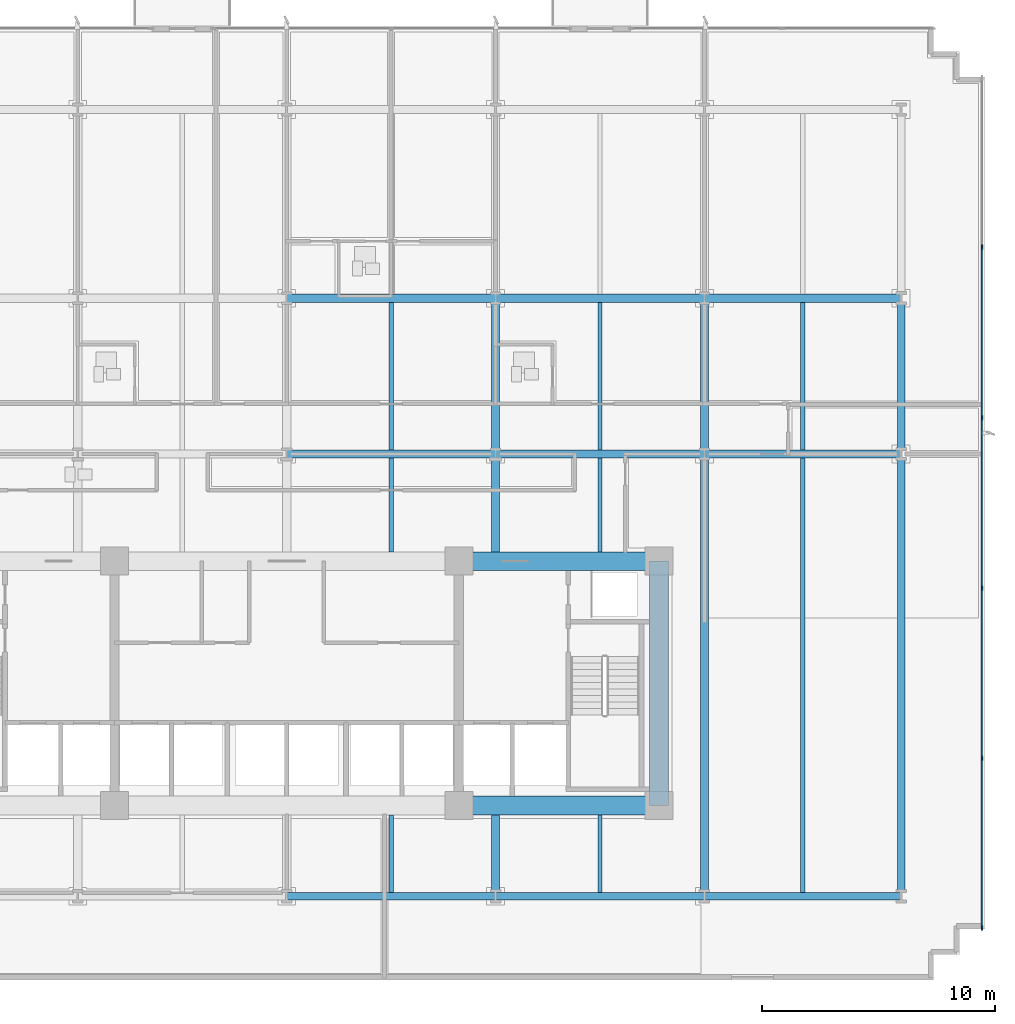
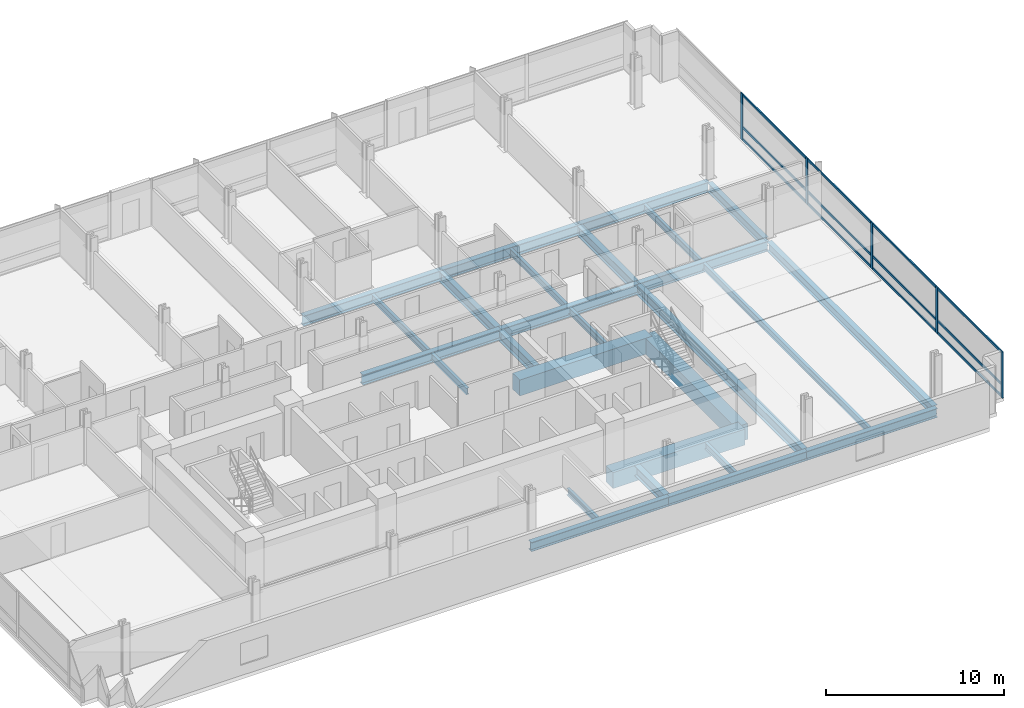
# One storey, part 4 of 16: 27 beams, 17 members, 1 element without a shape of its own.
"""IFC4 building model written with IfcOpenShell, lengths in metres."""

from ifc_helpers import new_model, si_unit, direction, frame, origin, origin_2d, place, context, subcontext, project, spatial, rectangle, i_section, extrude, material, material_profile, profile_set, type_object, element, aggregate, save


model = new_model("IFC4")

# Units and contexts
model_context = context("Model", 3, precision=1e-05, world=origin(), true_north=direction((0.0, 1.0)))
body_context = subcontext(model_context, "Body", "Model", "MODEL_VIEW")
ifc_project = project(units=[si_unit("LENGTHUNIT", "METRE"), si_unit("AREAUNIT", "SQUARE_METRE"), si_unit("VOLUMEUNIT", "CUBIC_METRE"), si_unit("PLANEANGLEUNIT", "RADIAN"), si_unit("MASSUNIT", "GRAM", prefix="KILO")], contexts=[model_context])

# Site, building, storey
site_placement = place(None, origin())
site = spatial("IfcSite", under=ifc_project, at=site_placement, CompositionType="ELEMENT")
building_placement = place(site_placement, origin())
building = spatial("IfcBuilding", under=site, at=building_placement, Name="Solmavex Isthmus Hotel", CompositionType="ELEMENT")
storey_placement = place(building_placement, frame((0.0, 0.0, 36.75)))
storey = spatial("IfcBuildingStorey", under=building, at=storey_placement, Name="L09", CompositionType="ELEMENT", Elevation=36.75)

# Beams
ifc_material_1 = material(Name="Steel ASTM A992 Grade 50", Category="steel")
ifc_material_profile_1 = material_profile(ifc_material_1, i_section(OverallWidth=0.354736328125, OverallDepth=0.695556640625, WebThickness=0.015380859375, FlangeThickness=0.02490234375, FilletRadius=0.017822265625, at=origin_2d()), Name="W27X146")
ifc_profile_set_1 = profile_set([ifc_material_profile_1], Name="Steel ASTM A992 Grade 50")
beam_type_1 = type_object("IfcBeamType", Name="BM-BG-W27X146", PredefinedType="BEAM", material=ifc_profile_set_1)
beam_1_placement = place(storey_placement, frame((0.0, 2.10009765625, -0.607666015625), z_axis=(1.0, 0.0, 0.0), x_axis=(0.0, 1.0, 0.0)))
element("IfcBeam", 1, at=beam_1_placement, inside=storey, type_object=beam_type_1, Name="Floor Girder L09-UG10", PredefinedType="BEAM", context=body_context, shape_type="SweptSolid", body=[
    extrude(i_section(OverallWidth=0.354736328125, OverallDepth=0.695556640625, WebThickness=0.015380859375, FlangeThickness=0.02490234375, FilletRadius=0.017822265625, at=origin_2d()), origin(), (0.0, 0.0, 1.0), 8.97607421875),
])
beam_2_placement = place(storey_placement, frame((8.97607421875, 2.10009765625, -0.607666015625), z_axis=(1.0, 0.0, 0.0), x_axis=(0.0, 1.0, 0.0)))
element("IfcBeam", 2, at=beam_2_placement, inside=storey, type_object=beam_type_1, Name="Floor Girder L09-UG11", PredefinedType="BEAM", context=body_context, shape_type="SweptSolid", body=[
    extrude(i_section(OverallWidth=0.354736328125, OverallDepth=0.695556640625, WebThickness=0.015380859375, FlangeThickness=0.02490234375, FilletRadius=0.017822265625, at=origin_2d()), origin(), (0.0, 0.0, 1.0), 8.975830078125),
])
beam_3_placement = place(storey_placement, frame((17.951904296875, 2.10009765625, -0.607666015625), z_axis=(1.0, 0.0, 0.0), x_axis=(0.0, 1.0, 0.0)))
element("IfcBeam", 3, at=beam_3_placement, inside=storey, type_object=beam_type_1, Name="Floor Girder L09-UG12", PredefinedType="BEAM", context=body_context, shape_type="SweptSolid", body=[
    extrude(i_section(OverallWidth=0.354736328125, OverallDepth=0.695556640625, WebThickness=0.015380859375, FlangeThickness=0.02490234375, FilletRadius=0.017822265625, at=origin_2d()), origin(), (0.0, 0.0, 1.0), 8.447998046875),
])
beam_4_placement = place(storey_placement, frame((0.0, 8.7880859375, -0.607666015625), z_axis=(1.0, 0.0, 0.0), x_axis=(0.0, 1.0, 0.0)))
element("IfcBeam", 4, at=beam_4_placement, inside=storey, type_object=beam_type_1, Name="Floor Girder L09-UG16", PredefinedType="BEAM", context=body_context, shape_type="SweptSolid", body=[
    extrude(i_section(OverallWidth=0.354736328125, OverallDepth=0.695556640625, WebThickness=0.015380859375, FlangeThickness=0.02490234375, FilletRadius=0.017822265625, at=origin_2d()), origin(), (0.0, 0.0, 1.0), 8.97607421875),
])
beam_5_placement = place(storey_placement, frame((8.97607421875, 8.7880859375, -0.607666015625), z_axis=(1.0, 0.0, 0.0), x_axis=(0.0, 1.0, 0.0)))
element("IfcBeam", 5, at=beam_5_placement, inside=storey, type_object=beam_type_1, Name="Floor Girder L09-UG17", PredefinedType="BEAM", context=body_context, shape_type="SweptSolid", body=[
    extrude(i_section(OverallWidth=0.354736328125, OverallDepth=0.695556640625, WebThickness=0.015380859375, FlangeThickness=0.02490234375, FilletRadius=0.017822265625, at=origin_2d()), origin(), (0.0, 0.0, 1.0), 8.975830078125),
])
beam_6_placement = place(storey_placement, frame((17.951904296875, 8.7880859375, -0.607666015625), z_axis=(1.0, 0.0, 0.0), x_axis=(0.0, 1.0, 0.0)))
element("IfcBeam", 6, at=beam_6_placement, inside=storey, type_object=beam_type_1, Name="Floor Girder L09-UG18", PredefinedType="BEAM", context=body_context, shape_type="SweptSolid", body=[
    extrude(i_section(OverallWidth=0.354736328125, OverallDepth=0.695556640625, WebThickness=0.015380859375, FlangeThickness=0.02490234375, FilletRadius=0.017822265625, at=origin_2d()), origin(), (0.0, 0.0, 1.0), 8.447998046875),
])
beam_7_placement = place(storey_placement, frame((8.97607421875, -16.73681640625, -0.607666015625), z_axis=(0.0, 1.0, 0.0), x_axis=(-1.0, 0.0, 0.0)))
element("IfcBeam", 7, at=beam_7_placement, inside=storey, type_object=beam_type_1, Name="Floor Beam L09-VG39", PredefinedType="BEAM", context=body_context, shape_type="SweptSolid", body=[
    extrude(i_section(OverallWidth=0.354736328125, OverallDepth=0.695556640625, WebThickness=0.015380859375, FlangeThickness=0.02490234375, FilletRadius=0.017822265625, at=origin_2d()), origin(), (0.0, 0.0, 1.0), 3.3369140625),
])
beam_8_placement = place(storey_placement, frame((8.97607421875, -2.10009765625, -0.607666015625), z_axis=(0.0, 1.0, 0.0), x_axis=(-1.0, 0.0, 0.0)))
element("IfcBeam", 8, at=beam_8_placement, inside=storey, type_object=beam_type_1, Name="Floor Beam L09-VG40", PredefinedType="BEAM", context=body_context, shape_type="SweptSolid", body=[
    extrude(i_section(OverallWidth=0.354736328125, OverallDepth=0.695556640625, WebThickness=0.015380859375, FlangeThickness=0.02490234375, FilletRadius=0.017822265625, at=origin_2d()), origin(), (0.0, 0.0, 1.0), 4.022705078125),
])
beam_9_placement = place(storey_placement, frame((8.97607421875, 2.27734375, -0.607666015625), z_axis=(0.0, 1.0, 0.0), x_axis=(-1.0, 0.0, 0.0)))
element("IfcBeam", 9, at=beam_9_placement, inside=storey, type_object=beam_type_1, Name="Floor Beam L09-VG41", PredefinedType="BEAM", context=body_context, shape_type="SweptSolid", body=[
    extrude(i_section(OverallWidth=0.354736328125, OverallDepth=0.695556640625, WebThickness=0.015380859375, FlangeThickness=0.02490234375, FilletRadius=0.017822265625, at=origin_2d()), origin(), (0.0, 0.0, 1.0), 6.333251953125),
])
beam_10_placement = place(storey_placement, frame((17.951904296875, -16.73681640625, -0.607666015625), z_axis=(0.0, 1.0, 0.0), x_axis=(-1.0, 0.0, 0.0)))
element("IfcBeam", 10, at=beam_10_placement, inside=storey, type_object=beam_type_1, Name="Floor Beam L09-VG43", PredefinedType="BEAM", context=body_context, shape_type="SweptSolid", body=[
    extrude(i_section(OverallWidth=0.354736328125, OverallDepth=0.695556640625, WebThickness=0.015380859375, FlangeThickness=0.02490234375, FilletRadius=0.017822265625, at=origin_2d()), origin(), (0.0, 0.0, 1.0), 18.659423828125),
])
beam_11_placement = place(storey_placement, frame((17.951904296875, 2.27734375, -0.607666015625), z_axis=(0.0, 1.0, 0.0), x_axis=(-1.0, 0.0, 0.0)))
element("IfcBeam", 11, at=beam_11_placement, inside=storey, type_object=beam_type_1, Name="Floor Beam L09-VG44", PredefinedType="BEAM", context=body_context, shape_type="SweptSolid", body=[
    extrude(i_section(OverallWidth=0.354736328125, OverallDepth=0.695556640625, WebThickness=0.015380859375, FlangeThickness=0.02490234375, FilletRadius=0.017822265625, at=origin_2d()), origin(), (0.0, 0.0, 1.0), 6.333251953125),
])
ifc_material_profile_2 = material_profile(ifc_material_1, i_section(OverallWidth=0.1904296875, OverallDepth=0.456787109375, WebThickness=0.009033203125, FlangeThickness=0.014404296875, FilletRadius=0.0126953125, at=origin_2d()), Name="W18X50")
ifc_profile_set_2 = profile_set([ifc_material_profile_2], Name="Steel ASTM A992 Grade 50")
beam_type_2 = type_object("IfcBeamType", Name="BM-BJ-W18X50", PredefinedType="JOIST", material=ifc_profile_set_2)
beam_12_placement = place(storey_placement, frame((4.488037109375, -16.73681640625, -0.488525390625), z_axis=(0.0, 1.0, 0.0), x_axis=(-1.0, 0.0, 0.0)))
element("IfcBeam", 12, at=beam_12_placement, inside=storey, type_object=beam_type_2, Name="Secondary Floor Joist L09-J12", PredefinedType="JOIST", context=body_context, shape_type="SweptSolid", body=[
    extrude(i_section(OverallWidth=0.1904296875, OverallDepth=0.456787109375, WebThickness=0.009033203125, FlangeThickness=0.014404296875, FilletRadius=0.0126953125, at=origin_2d()), origin(), (0.0, 0.0, 1.0), 3.3369140625),
])
beam_13_placement = place(storey_placement, frame((4.488037109375, -2.10009765625, -0.488525390625), z_axis=(0.0, 1.0, 0.0), x_axis=(-1.0, 0.0, 0.0)))
element("IfcBeam", 13, at=beam_13_placement, inside=storey, type_object=beam_type_2, Name="Secondary Floor Joist L09-J13", PredefinedType="JOIST", context=body_context, shape_type="SweptSolid", body=[
    extrude(i_section(OverallWidth=0.1904296875, OverallDepth=0.456787109375, WebThickness=0.009033203125, FlangeThickness=0.014404296875, FilletRadius=0.0126953125, at=origin_2d()), origin(), (0.0, 0.0, 1.0), 4.022705078125),
])
beam_14_placement = place(storey_placement, frame((4.488037109375, 2.27734375, -0.488525390625), z_axis=(0.0, 1.0, 0.0), x_axis=(-1.0, 0.0, 0.0)))
element("IfcBeam", 14, at=beam_14_placement, inside=storey, type_object=beam_type_2, Name="Secondary Floor Joist L09-J14", PredefinedType="JOIST", context=body_context, shape_type="SweptSolid", body=[
    extrude(i_section(OverallWidth=0.1904296875, OverallDepth=0.456787109375, WebThickness=0.009033203125, FlangeThickness=0.014404296875, FilletRadius=0.0126953125, at=origin_2d()), origin(), (0.0, 0.0, 1.0), 6.333251953125),
])
beam_15_placement = place(storey_placement, frame((13.464111328125, -16.73681640625, -0.488525390625), z_axis=(0.0, 1.0, 0.0), x_axis=(-1.0, 0.0, 0.0)))
element("IfcBeam", 15, at=beam_15_placement, inside=storey, type_object=beam_type_2, Name="Secondary Floor Joist L09-J16", PredefinedType="JOIST", context=body_context, shape_type="SweptSolid", body=[
    extrude(i_section(OverallWidth=0.1904296875, OverallDepth=0.456787109375, WebThickness=0.009033203125, FlangeThickness=0.014404296875, FilletRadius=0.0126953125, at=origin_2d()), origin(), (0.0, 0.0, 1.0), 3.3369140625),
])
beam_16_placement = place(storey_placement, frame((13.464111328125, -2.10009765625, -0.488525390625), z_axis=(0.0, 1.0, 0.0), x_axis=(-1.0, 0.0, 0.0)))
element("IfcBeam", 16, at=beam_16_placement, inside=storey, type_object=beam_type_2, Name="Secondary Floor Joist L09-J17", PredefinedType="JOIST", context=body_context, shape_type="SweptSolid", body=[
    extrude(i_section(OverallWidth=0.1904296875, OverallDepth=0.456787109375, WebThickness=0.009033203125, FlangeThickness=0.014404296875, FilletRadius=0.0126953125, at=origin_2d()), origin(), (0.0, 0.0, 1.0), 4.022705078125),
])
beam_17_placement = place(storey_placement, frame((13.464111328125, 2.27734375, -0.488525390625), z_axis=(0.0, 1.0, 0.0), x_axis=(-1.0, 0.0, 0.0)))
element("IfcBeam", 17, at=beam_17_placement, inside=storey, type_object=beam_type_2, Name="Secondary Floor Joist L09-J18", PredefinedType="JOIST", context=body_context, shape_type="SweptSolid", body=[
    extrude(i_section(OverallWidth=0.1904296875, OverallDepth=0.456787109375, WebThickness=0.009033203125, FlangeThickness=0.014404296875, FilletRadius=0.0126953125, at=origin_2d()), origin(), (0.0, 0.0, 1.0), 6.333251953125),
])
beam_18_placement = place(storey_placement, frame((22.176025390625, -16.73681640625, -0.488525390625), z_axis=(0.0, 1.0, 0.0), x_axis=(-1.0, 0.0, 0.0)))
element("IfcBeam", 18, at=beam_18_placement, inside=storey, type_object=beam_type_2, Name="Secondary Floor Joist L09-J20", PredefinedType="JOIST", context=body_context, shape_type="SweptSolid", body=[
    extrude(i_section(OverallWidth=0.1904296875, OverallDepth=0.456787109375, WebThickness=0.009033203125, FlangeThickness=0.014404296875, FilletRadius=0.0126953125, at=origin_2d()), origin(), (0.0, 0.0, 1.0), 18.659423828125),
])
beam_19_placement = place(storey_placement, frame((22.176025390625, 2.27734375, -0.488525390625), z_axis=(0.0, 1.0, 0.0), x_axis=(-1.0, 0.0, 0.0)))
element("IfcBeam", 19, at=beam_19_placement, inside=storey, type_object=beam_type_2, Name="Secondary Floor Joist L09-J21", PredefinedType="JOIST", context=body_context, shape_type="SweptSolid", body=[
    extrude(i_section(OverallWidth=0.1904296875, OverallDepth=0.456787109375, WebThickness=0.009033203125, FlangeThickness=0.014404296875, FilletRadius=0.0126953125, at=origin_2d()), origin(), (0.0, 0.0, 1.0), 6.333251953125),
])
ifc_material_2 = material(Name="Concrete C70/85", Category="concrete")
ifc_material_profile_3 = material_profile(ifc_material_2, rectangle(XDim=0.800048828125, YDim=1.10009765625, at=origin_2d()), Name="RC800X1100")
ifc_profile_set_3 = profile_set([ifc_material_profile_3], Name="Concrete C70/85")
beam_type_3 = type_object("IfcBeamType", Name="BM-CB-800X1100", PredefinedType="BEAM", material=ifc_profile_set_3)
for number, where, z_axis, x_axis, name in (
    (20, (7.39990234375, -13.0, -0.81005859375), (1.0, 0.0, 0.0), (0.0, 1.0, 0.0), "Core Coupling Beam L09-CB3"),
    (21, (7.39990234375, -2.5, -0.81005859375), (1.0, 0.0, 0.0), (0.0, 1.0, 0.0), "Core Coupling Beam L09-CB6"),
):
    element("IfcBeam", number, at=place(storey_placement, frame(where, z_axis=z_axis, x_axis=x_axis)), inside=storey, type_object=beam_type_3, Name=name, PredefinedType="BEAM", context=body_context, shape_type="SweptSolid", body=[
        extrude(rectangle(XDim=0.800048828125, YDim=1.10009765625, at=origin_2d()), origin(), (0.0, 0.0, 1.0), 8.60009765625),
    ])
beam_20_placement = place(storey_placement, frame((16.0, -13.0, -0.81005859375), z_axis=(0.0, 1.0, 0.0), x_axis=(-1.0, 0.0, 0.0)))
element("IfcBeam", 22, at=beam_20_placement, inside=storey, type_object=beam_type_3, Name="Core Coupling Beam L09-CB8", PredefinedType="BEAM", context=body_context, shape_type="SweptSolid", body=[
    extrude(rectangle(XDim=0.800048828125, YDim=1.10009765625, at=origin_2d()), origin(), (0.0, 0.0, 1.0), 10.5),
])
ifc_material_profile_4 = material_profile(ifc_material_1, i_section(OverallWidth=0.326416015625, OverallDepth=0.621826171875, WebThickness=0.015380859375, FlangeThickness=0.0244140625, FilletRadius=0.01513671875, at=origin_2d()), Name="W24X131")
ifc_profile_set_4 = profile_set([ifc_material_profile_4], Name="Steel ASTM A992 Grade 50")
beam_type_4 = type_object("IfcBeamType", Name="BM-SP-W24X131", PredefinedType="SPANDREL", material=ifc_profile_set_4)
beam_21_placement = place(storey_placement, frame((0.0, -16.89990234375, -0.57080078125), z_axis=(1.0, 0.0, 0.0), x_axis=(0.0, 1.0, 0.0)))
element("IfcBeam", 23, at=beam_21_placement, inside=storey, type_object=beam_type_4, Name="Floor Girder L09-UG04", PredefinedType="SPANDREL", context=body_context, shape_type="SweptSolid", body=[
    extrude(i_section(OverallWidth=0.326416015625, OverallDepth=0.621826171875, WebThickness=0.015380859375, FlangeThickness=0.0244140625, FilletRadius=0.01513671875, at=origin_2d()), origin(), (0.0, 0.0, 1.0), 8.97607421875),
])
beam_22_placement = place(storey_placement, frame((8.97607421875, -16.89990234375, -0.57080078125), z_axis=(1.0, 0.0, 0.0), x_axis=(0.0, 1.0, 0.0)))
element("IfcBeam", 24, at=beam_22_placement, inside=storey, type_object=beam_type_4, Name="Floor Girder L09-UG05", PredefinedType="SPANDREL", context=body_context, shape_type="SweptSolid", body=[
    extrude(i_section(OverallWidth=0.326416015625, OverallDepth=0.621826171875, WebThickness=0.015380859375, FlangeThickness=0.0244140625, FilletRadius=0.01513671875, at=origin_2d()), origin(), (0.0, 0.0, 1.0), 8.975830078125),
])
beam_23_placement = place(storey_placement, frame((17.951904296875, -16.89990234375, -0.57080078125), z_axis=(1.0, 0.0, 0.0), x_axis=(0.0, 1.0, 0.0)))
element("IfcBeam", 25, at=beam_23_placement, inside=storey, type_object=beam_type_4, Name="Floor Girder L09-UG06", PredefinedType="SPANDREL", context=body_context, shape_type="SweptSolid", body=[
    extrude(i_section(OverallWidth=0.326416015625, OverallDepth=0.621826171875, WebThickness=0.015380859375, FlangeThickness=0.0244140625, FilletRadius=0.01513671875, at=origin_2d()), origin(), (0.0, 0.0, 1.0), 8.447998046875),
])
beam_24_placement = place(storey_placement, frame((26.39990234375, -16.73681640625, -0.57080078125), z_axis=(0.0, 1.0, 0.0), x_axis=(-1.0, 0.0, 0.0)))
element("IfcBeam", 26, at=beam_24_placement, inside=storey, type_object=beam_type_4, Name="Floor Beam L09-VG46", PredefinedType="SPANDREL", context=body_context, shape_type="SweptSolid", body=[
    extrude(i_section(OverallWidth=0.326416015625, OverallDepth=0.621826171875, WebThickness=0.015380859375, FlangeThickness=0.0244140625, FilletRadius=0.01513671875, at=origin_2d()), origin(), (0.0, 0.0, 1.0), 18.659423828125),
])
beam_25_placement = place(storey_placement, frame((26.39990234375, 2.27734375, -0.57080078125), z_axis=(0.0, 1.0, 0.0), x_axis=(-1.0, 0.0, 0.0)))
element("IfcBeam", 27, at=beam_25_placement, inside=storey, type_object=beam_type_4, Name="Floor Beam L09-VG47", PredefinedType="SPANDREL", context=body_context, shape_type="SweptSolid", body=[
    extrude(i_section(OverallWidth=0.326416015625, OverallDepth=0.621826171875, WebThickness=0.015380859375, FlangeThickness=0.0244140625, FilletRadius=0.01513671875, at=origin_2d()), origin(), (0.0, 0.0, 1.0), 6.333251953125),
])

# Curtain wall, members
ifc_material_3 = material(Name="Aluminium alloy 6063-T6", Category="aluminium")
curtain_wall_type = type_object("IfcCurtainWallType", Name="CW-SYS-02", PredefinedType="NOTDEFINED", material=ifc_material_3)
curtain_wall_placement = place(storey_placement, origin())
curtain_wall = element("IfcCurtainWall", 28, at=curtain_wall_placement, inside=storey, type_object=curtain_wall_type, Name="Stick Curtain Wall CWL-L09-E1", PredefinedType="NOTDEFINED")
ifc_material_profile_5 = material_profile(ifc_material_3, rectangle(XDim=0.074951171875, YDim=0.219970703125, at=origin_2d()), Name="CWM-75X220")
ifc_profile_set_5 = profile_set([ifc_material_profile_5], Name="Aluminium alloy 6063-T6")
member_type_1 = type_object("IfcMemberType", Name="CW-SYS-02-MUL", PredefinedType="MULLION", material=ifc_profile_set_5)
member_1_placement = place(storey_placement, frame((29.8798828125, -18.262451171875, 0.0), z_axis=(0.0, 0.0, 1.0), x_axis=(-1.0, 0.0, 0.0)))
member_1 = element("IfcMember", 29, at=member_1_placement, type_object=member_type_1, Name="CW-02 mullion 1", PredefinedType="MULLION", context=body_context, shape_type="SweptSolid", body=[
    extrude(rectangle(XDim=0.074951171875, YDim=0.219970703125, at=origin_2d()), origin(), (0.0, 0.0, 1.0), 3.18994140625),
])
member_2_placement = place(storey_placement, frame((29.8798828125, -10.97998046875, 0.0), z_axis=(0.0, 0.0, 1.0), x_axis=(-1.0, 0.0, 0.0)))
member_2 = element("IfcMember", 30, at=member_2_placement, type_object=member_type_1, Name="CW-02 mullion 2", PredefinedType="MULLION", context=body_context, shape_type="SweptSolid", body=[
    extrude(rectangle(XDim=0.074951171875, YDim=0.219970703125, at=origin_2d()), origin(), (0.0, 0.0, 1.0), 3.18994140625),
])
member_3_placement = place(storey_placement, frame((29.8798828125, -3.659912109375, 0.0), z_axis=(0.0, 0.0, 1.0), x_axis=(-1.0, 0.0, 0.0)))
member_3 = element("IfcMember", 31, at=member_3_placement, type_object=member_type_1, Name="CW-02 mullion 3", PredefinedType="MULLION", context=body_context, shape_type="SweptSolid", body=[
    extrude(rectangle(XDim=0.074951171875, YDim=0.219970703125, at=origin_2d()), origin(), (0.0, 0.0, 1.0), 3.18994140625),
])
member_4_placement = place(storey_placement, frame((29.8798828125, 3.659912109375, 0.0), z_axis=(0.0, 0.0, 1.0), x_axis=(-1.0, 0.0, 0.0)))
member_4 = element("IfcMember", 32, at=member_4_placement, type_object=member_type_1, Name="CW-02 mullion 4", PredefinedType="MULLION", context=body_context, shape_type="SweptSolid", body=[
    extrude(rectangle(XDim=0.074951171875, YDim=0.219970703125, at=origin_2d()), origin(), (0.0, 0.0, 1.0), 3.18994140625),
])
member_5_placement = place(storey_placement, frame((29.8798828125, 10.97998046875, 0.0), z_axis=(0.0, 0.0, 1.0), x_axis=(-1.0, 0.0, 0.0)))
member_5 = element("IfcMember", 33, at=member_5_placement, type_object=member_type_1, Name="CW-02 mullion 5", PredefinedType="MULLION", context=body_context, shape_type="SweptSolid", body=[
    extrude(rectangle(XDim=0.074951171875, YDim=0.219970703125, at=origin_2d()), origin(), (0.0, 0.0, 1.0), 3.18994140625),
])
ifc_material_profile_6 = material_profile(ifc_material_3, rectangle(XDim=0.074951171875, YDim=0.159912109375, at=origin_2d()), Name="CWT-75X160")
ifc_profile_set_6 = profile_set([ifc_material_profile_6], Name="Aluminium alloy 6063-T6")
member_type_2 = type_object("IfcMemberType", Name="CW-SYS-02-TRN", PredefinedType="USERDEFINED", material=ifc_profile_set_6)
member_6_placement = place(storey_placement, frame((29.8798828125, -18.22509765625, 0.080078125), z_axis=(0.0, 1.0, 0.0), x_axis=(-1.0, 0.0, 0.0)))
member_6 = element("IfcMember", 34, at=member_6_placement, type_object=member_type_2, Name="CW-02 transom 1.1", ObjectType="TRANSOM", PredefinedType="USERDEFINED", context=body_context, shape_type="SweptSolid", body=[
    extrude(rectangle(XDim=0.074951171875, YDim=0.159912109375, at=origin_2d()), origin(), (0.0, 0.0, 1.0), 7.20751953125),
])
member_7_placement = place(storey_placement, frame((29.8798828125, -18.22509765625, 0.89990234375), z_axis=(0.0, 1.0, 0.0), x_axis=(-1.0, 0.0, 0.0)))
member_7 = element("IfcMember", 35, at=member_7_placement, type_object=member_type_2, Name="CW-02 transom 1.2", ObjectType="TRANSOM", PredefinedType="USERDEFINED", context=body_context, shape_type="SweptSolid", body=[
    extrude(rectangle(XDim=0.074951171875, YDim=0.159912109375, at=origin_2d()), origin(), (0.0, 0.0, 1.0), 7.20751953125),
])
member_8_placement = place(storey_placement, frame((29.8798828125, -18.22509765625, 3.110107421875), z_axis=(0.0, 1.0, 0.0), x_axis=(-1.0, 0.0, 0.0)))
member_8 = element("IfcMember", 36, at=member_8_placement, type_object=member_type_2, Name="CW-02 transom 1.3", ObjectType="TRANSOM", PredefinedType="USERDEFINED", context=body_context, shape_type="SweptSolid", body=[
    extrude(rectangle(XDim=0.074951171875, YDim=0.159912109375, at=origin_2d()), origin(), (0.0, 0.0, 1.0), 7.20751953125),
])
member_9_placement = place(storey_placement, frame((29.8798828125, -10.9423828125, 0.080078125), z_axis=(0.0, 1.0, 0.0), x_axis=(-1.0, 0.0, 0.0)))
member_9 = element("IfcMember", 37, at=member_9_placement, type_object=member_type_2, Name="CW-02 transom 2.1", ObjectType="TRANSOM", PredefinedType="USERDEFINED", context=body_context, shape_type="SweptSolid", body=[
    extrude(rectangle(XDim=0.074951171875, YDim=0.159912109375, at=origin_2d()), origin(), (0.0, 0.0, 1.0), 7.244873046875),
])
member_10_placement = place(storey_placement, frame((29.8798828125, -10.9423828125, 0.89990234375), z_axis=(0.0, 1.0, 0.0), x_axis=(-1.0, 0.0, 0.0)))
member_10 = element("IfcMember", 38, at=member_10_placement, type_object=member_type_2, Name="CW-02 transom 2.2", ObjectType="TRANSOM", PredefinedType="USERDEFINED", context=body_context, shape_type="SweptSolid", body=[
    extrude(rectangle(XDim=0.074951171875, YDim=0.159912109375, at=origin_2d()), origin(), (0.0, 0.0, 1.0), 7.244873046875),
])
member_11_placement = place(storey_placement, frame((29.8798828125, -10.9423828125, 3.110107421875), z_axis=(0.0, 1.0, 0.0), x_axis=(-1.0, 0.0, 0.0)))
member_11 = element("IfcMember", 39, at=member_11_placement, type_object=member_type_2, Name="CW-02 transom 2.3", ObjectType="TRANSOM", PredefinedType="USERDEFINED", context=body_context, shape_type="SweptSolid", body=[
    extrude(rectangle(XDim=0.074951171875, YDim=0.159912109375, at=origin_2d()), origin(), (0.0, 0.0, 1.0), 7.244873046875),
])
member_12_placement = place(storey_placement, frame((29.8798828125, -3.62255859375, 0.080078125), z_axis=(0.0, 1.0, 0.0), x_axis=(-1.0, 0.0, 0.0)))
member_12 = element("IfcMember", 40, at=member_12_placement, type_object=member_type_2, Name="CW-02 transom 3.1", ObjectType="TRANSOM", PredefinedType="USERDEFINED", context=body_context, shape_type="SweptSolid", body=[
    extrude(rectangle(XDim=0.074951171875, YDim=0.159912109375, at=origin_2d()), origin(), (0.0, 0.0, 1.0), 7.2451171875),
])
member_13_placement = place(storey_placement, frame((29.8798828125, -3.62255859375, 0.89990234375), z_axis=(0.0, 1.0, 0.0), x_axis=(-1.0, 0.0, 0.0)))
member_13 = element("IfcMember", 41, at=member_13_placement, type_object=member_type_2, Name="CW-02 transom 3.2", ObjectType="TRANSOM", PredefinedType="USERDEFINED", context=body_context, shape_type="SweptSolid", body=[
    extrude(rectangle(XDim=0.074951171875, YDim=0.159912109375, at=origin_2d()), origin(), (0.0, 0.0, 1.0), 7.2451171875),
])
member_14_placement = place(storey_placement, frame((29.8798828125, -3.62255859375, 3.110107421875), z_axis=(0.0, 1.0, 0.0), x_axis=(-1.0, 0.0, 0.0)))
member_14 = element("IfcMember", 42, at=member_14_placement, type_object=member_type_2, Name="CW-02 transom 3.3", ObjectType="TRANSOM", PredefinedType="USERDEFINED", context=body_context, shape_type="SweptSolid", body=[
    extrude(rectangle(XDim=0.074951171875, YDim=0.159912109375, at=origin_2d()), origin(), (0.0, 0.0, 1.0), 7.2451171875),
])
member_15_placement = place(storey_placement, frame((29.8798828125, 3.697509765625, 0.080078125), z_axis=(0.0, 1.0, 0.0), x_axis=(-1.0, 0.0, 0.0)))
member_15 = element("IfcMember", 43, at=member_15_placement, type_object=member_type_2, Name="CW-02 transom 4.1", ObjectType="TRANSOM", PredefinedType="USERDEFINED", context=body_context, shape_type="SweptSolid", body=[
    extrude(rectangle(XDim=0.074951171875, YDim=0.159912109375, at=origin_2d()), origin(), (0.0, 0.0, 1.0), 7.244873046875),
])
member_16_placement = place(storey_placement, frame((29.8798828125, 3.697509765625, 0.89990234375), z_axis=(0.0, 1.0, 0.0), x_axis=(-1.0, 0.0, 0.0)))
member_16 = element("IfcMember", 44, at=member_16_placement, type_object=member_type_2, Name="CW-02 transom 4.2", ObjectType="TRANSOM", PredefinedType="USERDEFINED", context=body_context, shape_type="SweptSolid", body=[
    extrude(rectangle(XDim=0.074951171875, YDim=0.159912109375, at=origin_2d()), origin(), (0.0, 0.0, 1.0), 7.244873046875),
])
member_17_placement = place(storey_placement, frame((29.8798828125, 3.697509765625, 3.110107421875), z_axis=(0.0, 1.0, 0.0), x_axis=(-1.0, 0.0, 0.0)))
member_17 = element("IfcMember", 45, at=member_17_placement, type_object=member_type_2, Name="CW-02 transom 4.3", ObjectType="TRANSOM", PredefinedType="USERDEFINED", context=body_context, shape_type="SweptSolid", body=[
    extrude(rectangle(XDim=0.074951171875, YDim=0.159912109375, at=origin_2d()), origin(), (0.0, 0.0, 1.0), 7.244873046875),
])
aggregate(curtain_wall, [member_1, member_2, member_3, member_4, member_5, member_6, member_7, member_8, member_9, member_10, member_11, member_12, member_13, member_14, member_15, member_16, member_17])

save(model, "model.ifc")
